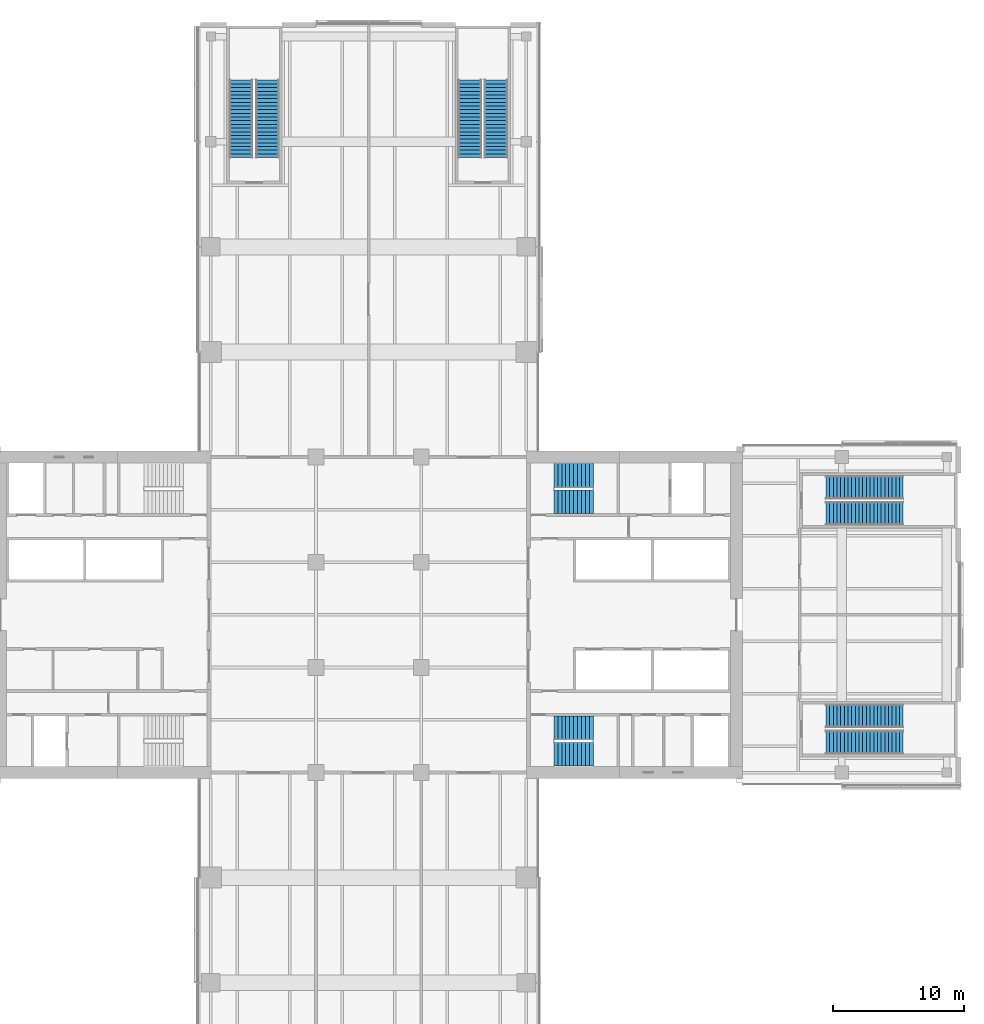
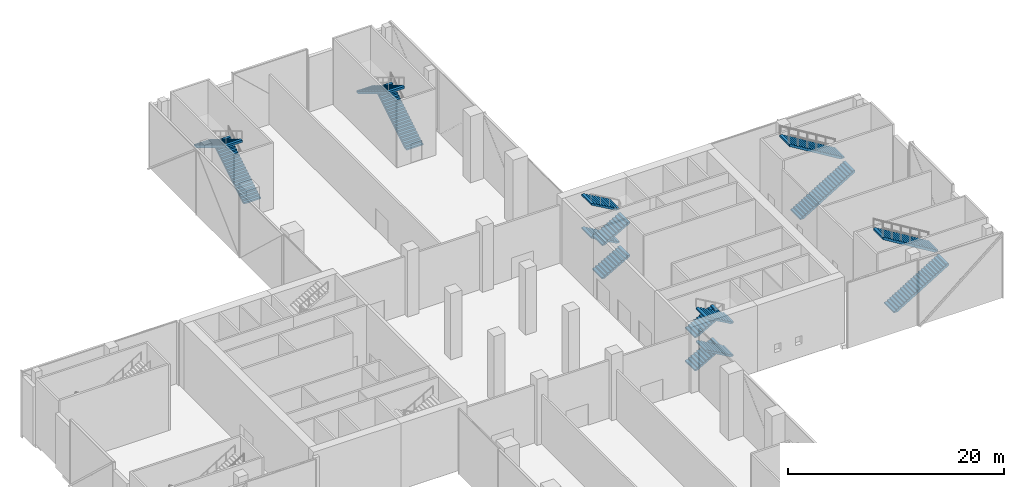
# One storey, part 19 of 25: 16 stair flights, 6 elements without a shape of their own.
"""IFC4 building model written with IfcOpenShell, lengths in metres."""

from ifc_helpers import new_model, si_unit, direction, frame, origin, place, context, subcontext, project, spatial, polyline, outline, extrude, material, type_object, element, aggregate, save


model = new_model("IFC4")

# Units and contexts
model_context = context("Model", 3, precision=1e-05, world=origin(), true_north=direction((0.0, 1.0)))
body_context = subcontext(model_context, "Body", "Model", "MODEL_VIEW")
ifc_project = project(units=[si_unit("LENGTHUNIT", "METRE"), si_unit("AREAUNIT", "SQUARE_METRE"), si_unit("VOLUMEUNIT", "CUBIC_METRE"), si_unit("PLANEANGLEUNIT", "RADIAN"), si_unit("MASSUNIT", "GRAM", prefix="KILO")], contexts=[model_context])

# Site, building, storey
site_placement = place(None, origin())
site = spatial("IfcSite", under=ifc_project, at=site_placement, CompositionType="ELEMENT")
building_placement = place(site_placement, origin())
building = spatial("IfcBuilding", under=site, at=building_placement, Name="Crosswind Convention Tower", CompositionType="ELEMENT")
storey_placement = place(building_placement, frame((0.0, 0.0, 17.5)))
storey = spatial("IfcBuildingStorey", under=building, at=storey_placement, Name="L02", CompositionType="ELEMENT", Elevation=17.5)

# Stair, stair flights
ifc_material = material(Name="Concrete C40/50", Category="concrete")
stair_type_1 = type_object("IfcStairType", Name="PODIUM EXIT STAIR 7500 RISE", PredefinedType="HALF_TURN_STAIR", material=ifc_material)
stair_1_placement = place(storey_placement, origin())
stair_1 = element("IfcStair", 1, at=stair_1_placement, inside=storey, type_object=stair_type_1, Name="Exit stair E1 L02", ObjectType="ST11", PredefinedType="HALF_TURN_STAIR")
stair_flight_type_1 = type_object("IfcStairFlightType", Name="PODIUM STAIR FLIGHT 22 RISERS", PredefinedType="STRAIGHT", material=ifc_material)
stair_flight_1_placement = place(storey_placement, frame((159.800048828125, 90.300048828125, 0.0), z_axis=(0.0, 0.0, 1.0), x_axis=(1.0, 0.0, 0.0)))
stair_flight_1 = element("IfcStairFlight", 2, at=stair_flight_1_placement, type_object=stair_flight_type_1, Name="ST11 flight 1", NumberOfRisers=22, NumberOfTreads=21, PredefinedType="STRAIGHT", RiserHeight=0.170455, TreadLength=0.28, context=body_context, shape_type="SweptSolid", body=[
    extrude(outline(polyline([(0.0, 0.0), (0.0, 0.17041015625), (0.280029296875, 0.17041015625), (0.280029296875, 0.3408203125), (0.56005859375, 0.3408203125), (0.56005859375, 0.511474609375), (0.840087890625, 0.511474609375), (0.840087890625, 0.681884765625), (1.1201171875, 0.681884765625), (1.1201171875, 0.852294921875), (1.39990234375, 0.852294921875), (1.39990234375, 1.022705078125), (1.679931640625, 1.022705078125), (1.679931640625, 1.193115234375), (1.9599609375, 1.193115234375), (1.9599609375, 1.363525390625), (2.239990234375, 1.363525390625), (2.239990234375, 1.5341796875), (2.52001953125, 1.5341796875), (2.52001953125, 1.70458984375), (2.800048828125, 1.70458984375), (2.800048828125, 1.875), (3.080078125, 1.875), (3.080078125, 2.04541015625), (3.360107421875, 2.04541015625), (3.360107421875, 2.2158203125), (3.639892578125, 2.2158203125), (3.639892578125, 2.386474609375), (3.919921875, 2.386474609375), (3.919921875, 2.556884765625), (4.199951171875, 2.556884765625), (4.199951171875, 2.727294921875), (4.47998046875, 2.727294921875), (4.47998046875, 2.897705078125), (4.760009765625, 2.897705078125), (4.760009765625, 3.068115234375), (5.0400390625, 3.068115234375), (5.0400390625, 3.238525390625), (5.320068359375, 3.238525390625), (5.320068359375, 3.4091796875), (5.60009765625, 3.4091796875), (5.60009765625, 3.57958984375), (5.8798828125, 3.57958984375), (5.8798828125, 3.75), (5.8798828125, 3.345458984375), (0.384521484375, 0.0), (0.0, 0.0)])), frame((0.0, 0.89990234375, 0.0), z_axis=(0.0, -1.0, 0.0), x_axis=(1.0, 0.0, 0.0)), (0.0, 0.0, 1.0), 1.800048828125),
])
stair_flight_2_placement = place(storey_placement, frame((165.679931640625, 92.300048828125, 3.75), z_axis=(0.0, 0.0, 1.0), x_axis=(-1.0, 0.0, 0.0)))
stair_flight_2 = element("IfcStairFlight", 3, at=stair_flight_2_placement, type_object=stair_flight_type_1, Name="ST11 flight 2", NumberOfRisers=22, NumberOfTreads=21, PredefinedType="STRAIGHT", RiserHeight=0.170455, TreadLength=0.28, context=body_context, shape_type="SweptSolid", body=[
    extrude(outline(polyline([(0.0, 0.0), (0.0, 0.17041015625), (0.280029296875, 0.17041015625), (0.280029296875, 0.3408203125), (0.56005859375, 0.3408203125), (0.56005859375, 0.511474609375), (0.840087890625, 0.511474609375), (0.840087890625, 0.681884765625), (1.1201171875, 0.681884765625), (1.1201171875, 0.852294921875), (1.39990234375, 0.852294921875), (1.39990234375, 1.022705078125), (1.679931640625, 1.022705078125), (1.679931640625, 1.193115234375), (1.9599609375, 1.193115234375), (1.9599609375, 1.363525390625), (2.239990234375, 1.363525390625), (2.239990234375, 1.5341796875), (2.52001953125, 1.5341796875), (2.52001953125, 1.70458984375), (2.800048828125, 1.70458984375), (2.800048828125, 1.875), (3.080078125, 1.875), (3.080078125, 2.04541015625), (3.360107421875, 2.04541015625), (3.360107421875, 2.2158203125), (3.639892578125, 2.2158203125), (3.639892578125, 2.386474609375), (3.919921875, 2.386474609375), (3.919921875, 2.556884765625), (4.199951171875, 2.556884765625), (4.199951171875, 2.727294921875), (4.47998046875, 2.727294921875), (4.47998046875, 2.897705078125), (4.760009765625, 2.897705078125), (4.760009765625, 3.068115234375), (5.0400390625, 3.068115234375), (5.0400390625, 3.238525390625), (5.320068359375, 3.238525390625), (5.320068359375, 3.4091796875), (5.60009765625, 3.4091796875), (5.60009765625, 3.57958984375), (5.8798828125, 3.57958984375), (5.8798828125, 3.75), (5.8798828125, 3.345458984375), (0.384521484375, 0.0), (0.0, 0.0)])), frame((0.0, 0.89990234375, 0.0), z_axis=(0.0, -1.0, 0.0), x_axis=(1.0, 0.0, 0.0)), (0.0, 0.0, 1.0), 1.800048828125),
])
aggregate(stair_1, [stair_flight_1, stair_flight_2])

stair_2_placement = place(storey_placement, origin())
stair_2 = element("IfcStair", 4, at=stair_2_placement, inside=storey, type_object=stair_type_1, Name="Exit stair E2 L02", ObjectType="ST11", PredefinedType="HALF_TURN_STAIR")
stair_flight_3_placement = place(storey_placement, frame((159.800048828125, 107.699951171875, 0.0), z_axis=(0.0, 0.0, 1.0), x_axis=(1.0, 0.0, 0.0)))
stair_flight_3 = element("IfcStairFlight", 5, at=stair_flight_3_placement, type_object=stair_flight_type_1, Name="ST11 flight 1", NumberOfRisers=22, NumberOfTreads=21, PredefinedType="STRAIGHT", RiserHeight=0.170455, TreadLength=0.28, context=body_context, shape_type="SweptSolid", body=[
    extrude(outline(polyline([(0.0, 0.0), (0.0, 0.17041015625), (0.280029296875, 0.17041015625), (0.280029296875, 0.3408203125), (0.56005859375, 0.3408203125), (0.56005859375, 0.511474609375), (0.840087890625, 0.511474609375), (0.840087890625, 0.681884765625), (1.1201171875, 0.681884765625), (1.1201171875, 0.852294921875), (1.39990234375, 0.852294921875), (1.39990234375, 1.022705078125), (1.679931640625, 1.022705078125), (1.679931640625, 1.193115234375), (1.9599609375, 1.193115234375), (1.9599609375, 1.363525390625), (2.239990234375, 1.363525390625), (2.239990234375, 1.5341796875), (2.52001953125, 1.5341796875), (2.52001953125, 1.70458984375), (2.800048828125, 1.70458984375), (2.800048828125, 1.875), (3.080078125, 1.875), (3.080078125, 2.04541015625), (3.360107421875, 2.04541015625), (3.360107421875, 2.2158203125), (3.639892578125, 2.2158203125), (3.639892578125, 2.386474609375), (3.919921875, 2.386474609375), (3.919921875, 2.556884765625), (4.199951171875, 2.556884765625), (4.199951171875, 2.727294921875), (4.47998046875, 2.727294921875), (4.47998046875, 2.897705078125), (4.760009765625, 2.897705078125), (4.760009765625, 3.068115234375), (5.0400390625, 3.068115234375), (5.0400390625, 3.238525390625), (5.320068359375, 3.238525390625), (5.320068359375, 3.4091796875), (5.60009765625, 3.4091796875), (5.60009765625, 3.57958984375), (5.8798828125, 3.57958984375), (5.8798828125, 3.75), (5.8798828125, 3.345458984375), (0.384521484375, 0.0), (0.0, 0.0)])), frame((0.0, 0.89990234375, 0.0), z_axis=(0.0, -1.0, 0.0), x_axis=(1.0, 0.0, 0.0)), (0.0, 0.0, 1.0), 1.800048828125),
])
stair_flight_4_placement = place(storey_placement, frame((165.679931640625, 109.699951171875, 3.75), z_axis=(0.0, 0.0, 1.0), x_axis=(-1.0, 0.0, 0.0)))
stair_flight_4 = element("IfcStairFlight", 6, at=stair_flight_4_placement, type_object=stair_flight_type_1, Name="ST11 flight 2", NumberOfRisers=22, NumberOfTreads=21, PredefinedType="STRAIGHT", RiserHeight=0.170455, TreadLength=0.28, context=body_context, shape_type="SweptSolid", body=[
    extrude(outline(polyline([(0.0, 0.0), (0.0, 0.17041015625), (0.280029296875, 0.17041015625), (0.280029296875, 0.3408203125), (0.56005859375, 0.3408203125), (0.56005859375, 0.511474609375), (0.840087890625, 0.511474609375), (0.840087890625, 0.681884765625), (1.1201171875, 0.681884765625), (1.1201171875, 0.852294921875), (1.39990234375, 0.852294921875), (1.39990234375, 1.022705078125), (1.679931640625, 1.022705078125), (1.679931640625, 1.193115234375), (1.9599609375, 1.193115234375), (1.9599609375, 1.363525390625), (2.239990234375, 1.363525390625), (2.239990234375, 1.5341796875), (2.52001953125, 1.5341796875), (2.52001953125, 1.70458984375), (2.800048828125, 1.70458984375), (2.800048828125, 1.875), (3.080078125, 1.875), (3.080078125, 2.04541015625), (3.360107421875, 2.04541015625), (3.360107421875, 2.2158203125), (3.639892578125, 2.2158203125), (3.639892578125, 2.386474609375), (3.919921875, 2.386474609375), (3.919921875, 2.556884765625), (4.199951171875, 2.556884765625), (4.199951171875, 2.727294921875), (4.47998046875, 2.727294921875), (4.47998046875, 2.897705078125), (4.760009765625, 2.897705078125), (4.760009765625, 3.068115234375), (5.0400390625, 3.068115234375), (5.0400390625, 3.238525390625), (5.320068359375, 3.238525390625), (5.320068359375, 3.4091796875), (5.60009765625, 3.4091796875), (5.60009765625, 3.57958984375), (5.8798828125, 3.57958984375), (5.8798828125, 3.75), (5.8798828125, 3.345458984375), (0.384521484375, 0.0), (0.0, 0.0)])), frame((0.0, 0.89990234375, 0.0), z_axis=(0.0, -1.0, 0.0), x_axis=(1.0, 0.0, 0.0)), (0.0, 0.0, 1.0), 1.800048828125),
])
aggregate(stair_2, [stair_flight_3, stair_flight_4])

stair_3_placement = place(storey_placement, origin())
stair_3 = element("IfcStair", 7, at=stair_3_placement, inside=storey, type_object=stair_type_1, Name="Exit stair N1 L02", ObjectType="ST11", PredefinedType="HALF_TURN_STAIR")
stair_flight_5_placement = place(storey_placement, frame((117.300048828125, 134.800048828125, 0.0), z_axis=(0.0, 0.0, 1.0), x_axis=(0.0, 1.0, 0.0)))
stair_flight_5 = element("IfcStairFlight", 8, at=stair_flight_5_placement, type_object=stair_flight_type_1, Name="ST11 flight 1", NumberOfRisers=22, NumberOfTreads=21, PredefinedType="STRAIGHT", RiserHeight=0.170455, TreadLength=0.28, context=body_context, shape_type="SweptSolid", body=[
    extrude(outline(polyline([(0.0, 0.0), (0.0, 0.17041015625), (0.280029296875, 0.17041015625), (0.280029296875, 0.3408203125), (0.56005859375, 0.3408203125), (0.56005859375, 0.511474609375), (0.840087890625, 0.511474609375), (0.840087890625, 0.681884765625), (1.1201171875, 0.681884765625), (1.1201171875, 0.852294921875), (1.39990234375, 0.852294921875), (1.39990234375, 1.022705078125), (1.679931640625, 1.022705078125), (1.679931640625, 1.193115234375), (1.9599609375, 1.193115234375), (1.9599609375, 1.363525390625), (2.239990234375, 1.363525390625), (2.239990234375, 1.5341796875), (2.52001953125, 1.5341796875), (2.52001953125, 1.70458984375), (2.800048828125, 1.70458984375), (2.800048828125, 1.875), (3.080078125, 1.875), (3.080078125, 2.04541015625), (3.360107421875, 2.04541015625), (3.360107421875, 2.2158203125), (3.639892578125, 2.2158203125), (3.639892578125, 2.386474609375), (3.919921875, 2.386474609375), (3.919921875, 2.556884765625), (4.199951171875, 2.556884765625), (4.199951171875, 2.727294921875), (4.47998046875, 2.727294921875), (4.47998046875, 2.897705078125), (4.760009765625, 2.897705078125), (4.760009765625, 3.068115234375), (5.0400390625, 3.068115234375), (5.0400390625, 3.238525390625), (5.320068359375, 3.238525390625), (5.320068359375, 3.4091796875), (5.60009765625, 3.4091796875), (5.60009765625, 3.57958984375), (5.8798828125, 3.57958984375), (5.8798828125, 3.75), (5.8798828125, 3.345458984375), (0.384521484375, 0.0), (0.0, 0.0)])), frame((0.0, 0.89990234375, 0.0), z_axis=(0.0, -1.0, 0.0), x_axis=(1.0, 0.0, 0.0)), (0.0, 0.0, 1.0), 1.800048828125),
])
stair_flight_6_placement = place(storey_placement, frame((115.300048828125, 140.679931640625, 3.75), z_axis=(0.0, 0.0, 1.0), x_axis=(0.0, -1.0, 0.0)))
stair_flight_6 = element("IfcStairFlight", 9, at=stair_flight_6_placement, type_object=stair_flight_type_1, Name="ST11 flight 2", NumberOfRisers=22, NumberOfTreads=21, PredefinedType="STRAIGHT", RiserHeight=0.170455, TreadLength=0.28, context=body_context, shape_type="SweptSolid", body=[
    extrude(outline(polyline([(0.0, 0.0), (0.0, 0.17041015625), (0.280029296875, 0.17041015625), (0.280029296875, 0.3408203125), (0.56005859375, 0.3408203125), (0.56005859375, 0.511474609375), (0.840087890625, 0.511474609375), (0.840087890625, 0.681884765625), (1.1201171875, 0.681884765625), (1.1201171875, 0.852294921875), (1.39990234375, 0.852294921875), (1.39990234375, 1.022705078125), (1.679931640625, 1.022705078125), (1.679931640625, 1.193115234375), (1.9599609375, 1.193115234375), (1.9599609375, 1.363525390625), (2.239990234375, 1.363525390625), (2.239990234375, 1.5341796875), (2.52001953125, 1.5341796875), (2.52001953125, 1.70458984375), (2.800048828125, 1.70458984375), (2.800048828125, 1.875), (3.080078125, 1.875), (3.080078125, 2.04541015625), (3.360107421875, 2.04541015625), (3.360107421875, 2.2158203125), (3.639892578125, 2.2158203125), (3.639892578125, 2.386474609375), (3.919921875, 2.386474609375), (3.919921875, 2.556884765625), (4.199951171875, 2.556884765625), (4.199951171875, 2.727294921875), (4.47998046875, 2.727294921875), (4.47998046875, 2.897705078125), (4.760009765625, 2.897705078125), (4.760009765625, 3.068115234375), (5.0400390625, 3.068115234375), (5.0400390625, 3.238525390625), (5.320068359375, 3.238525390625), (5.320068359375, 3.4091796875), (5.60009765625, 3.4091796875), (5.60009765625, 3.57958984375), (5.8798828125, 3.57958984375), (5.8798828125, 3.75), (5.8798828125, 3.345458984375), (0.384521484375, 0.0), (0.0, 0.0)])), frame((0.0, 0.89990234375, 0.0), z_axis=(0.0, -1.0, 0.0), x_axis=(1.0, 0.0, 0.0)), (0.0, 0.0, 1.0), 1.800048828125),
])
aggregate(stair_3, [stair_flight_5, stair_flight_6])

stair_4_placement = place(storey_placement, origin())
stair_4 = element("IfcStair", 10, at=stair_4_placement, inside=storey, type_object=stair_type_1, Name="Exit stair N2 L02", ObjectType="ST11", PredefinedType="HALF_TURN_STAIR")
stair_flight_7_placement = place(storey_placement, frame((134.699951171875, 134.800048828125, 0.0), z_axis=(0.0, 0.0, 1.0), x_axis=(0.0, 1.0, 0.0)))
stair_flight_7 = element("IfcStairFlight", 11, at=stair_flight_7_placement, type_object=stair_flight_type_1, Name="ST11 flight 1", NumberOfRisers=22, NumberOfTreads=21, PredefinedType="STRAIGHT", RiserHeight=0.170455, TreadLength=0.28, context=body_context, shape_type="SweptSolid", body=[
    extrude(outline(polyline([(0.0, 0.0), (0.0, 0.17041015625), (0.280029296875, 0.17041015625), (0.280029296875, 0.3408203125), (0.56005859375, 0.3408203125), (0.56005859375, 0.511474609375), (0.840087890625, 0.511474609375), (0.840087890625, 0.681884765625), (1.1201171875, 0.681884765625), (1.1201171875, 0.852294921875), (1.39990234375, 0.852294921875), (1.39990234375, 1.022705078125), (1.679931640625, 1.022705078125), (1.679931640625, 1.193115234375), (1.9599609375, 1.193115234375), (1.9599609375, 1.363525390625), (2.239990234375, 1.363525390625), (2.239990234375, 1.5341796875), (2.52001953125, 1.5341796875), (2.52001953125, 1.70458984375), (2.800048828125, 1.70458984375), (2.800048828125, 1.875), (3.080078125, 1.875), (3.080078125, 2.04541015625), (3.360107421875, 2.04541015625), (3.360107421875, 2.2158203125), (3.639892578125, 2.2158203125), (3.639892578125, 2.386474609375), (3.919921875, 2.386474609375), (3.919921875, 2.556884765625), (4.199951171875, 2.556884765625), (4.199951171875, 2.727294921875), (4.47998046875, 2.727294921875), (4.47998046875, 2.897705078125), (4.760009765625, 2.897705078125), (4.760009765625, 3.068115234375), (5.0400390625, 3.068115234375), (5.0400390625, 3.238525390625), (5.320068359375, 3.238525390625), (5.320068359375, 3.4091796875), (5.60009765625, 3.4091796875), (5.60009765625, 3.57958984375), (5.8798828125, 3.57958984375), (5.8798828125, 3.75), (5.8798828125, 3.345458984375), (0.384521484375, 0.0), (0.0, 0.0)])), frame((0.0, 0.89990234375, 0.0), z_axis=(0.0, -1.0, 0.0), x_axis=(1.0, 0.0, 0.0)), (0.0, 0.0, 1.0), 1.800048828125),
])
stair_flight_8_placement = place(storey_placement, frame((132.699951171875, 140.679931640625, 3.75), z_axis=(0.0, 0.0, 1.0), x_axis=(0.0, -1.0, 0.0)))
stair_flight_8 = element("IfcStairFlight", 12, at=stair_flight_8_placement, type_object=stair_flight_type_1, Name="ST11 flight 2", NumberOfRisers=22, NumberOfTreads=21, PredefinedType="STRAIGHT", RiserHeight=0.170455, TreadLength=0.28, context=body_context, shape_type="SweptSolid", body=[
    extrude(outline(polyline([(0.0, 0.0), (0.0, 0.17041015625), (0.280029296875, 0.17041015625), (0.280029296875, 0.3408203125), (0.56005859375, 0.3408203125), (0.56005859375, 0.511474609375), (0.840087890625, 0.511474609375), (0.840087890625, 0.681884765625), (1.1201171875, 0.681884765625), (1.1201171875, 0.852294921875), (1.39990234375, 0.852294921875), (1.39990234375, 1.022705078125), (1.679931640625, 1.022705078125), (1.679931640625, 1.193115234375), (1.9599609375, 1.193115234375), (1.9599609375, 1.363525390625), (2.239990234375, 1.363525390625), (2.239990234375, 1.5341796875), (2.52001953125, 1.5341796875), (2.52001953125, 1.70458984375), (2.800048828125, 1.70458984375), (2.800048828125, 1.875), (3.080078125, 1.875), (3.080078125, 2.04541015625), (3.360107421875, 2.04541015625), (3.360107421875, 2.2158203125), (3.639892578125, 2.2158203125), (3.639892578125, 2.386474609375), (3.919921875, 2.386474609375), (3.919921875, 2.556884765625), (4.199951171875, 2.556884765625), (4.199951171875, 2.727294921875), (4.47998046875, 2.727294921875), (4.47998046875, 2.897705078125), (4.760009765625, 2.897705078125), (4.760009765625, 3.068115234375), (5.0400390625, 3.068115234375), (5.0400390625, 3.238525390625), (5.320068359375, 3.238525390625), (5.320068359375, 3.4091796875), (5.60009765625, 3.4091796875), (5.60009765625, 3.57958984375), (5.8798828125, 3.57958984375), (5.8798828125, 3.75), (5.8798828125, 3.345458984375), (0.384521484375, 0.0), (0.0, 0.0)])), frame((0.0, 0.89990234375, 0.0), z_axis=(0.0, -1.0, 0.0), x_axis=(1.0, 0.0, 0.0)), (0.0, 0.0, 1.0), 1.800048828125),
])
aggregate(stair_4, [stair_flight_7, stair_flight_8])

stair_type_2 = type_object("IfcStairType", Name="Exit stair 1800 wide, 4 flights of 11 risers", PredefinedType="HALF_TURN_STAIR", material=ifc_material)
stair_5_placement = place(storey_placement, origin())
stair_5 = element("IfcStair", 13, at=stair_5_placement, inside=storey, type_object=stair_type_2, Name="Exit stair ST1 L02", ObjectType="ST6", PredefinedType="HALF_TURN_STAIR")
stair_flight_type_2 = type_object("IfcStairFlightType", Name="Stair flight 1800 wide, 11 risers (SF3)", PredefinedType="STRAIGHT", material=ifc_material)
stair_flight_9_placement = place(storey_placement, frame((139.10009765625, 108.60009765625, 0.0), z_axis=(0.0, 0.0, 1.0), x_axis=(1.0, 0.0, 0.0)))
stair_flight_9 = element("IfcStairFlight", 14, at=stair_flight_9_placement, type_object=stair_flight_type_2, Name="ST1 flight 1", NumberOfRisers=11, NumberOfTreads=10, PredefinedType="STRAIGHT", RiserHeight=0.170454545, TreadLength=0.3, context=body_context, shape_type="SweptSolid", body=[
    extrude(outline(polyline([(0.0, 0.0), (0.0, 0.17041015625), (0.300048828125, 0.17041015625), (0.300048828125, 0.3408203125), (0.60009765625, 0.3408203125), (0.60009765625, 0.511474609375), (0.89990234375, 0.511474609375), (0.89990234375, 0.681884765625), (1.199951171875, 0.681884765625), (1.199951171875, 0.852294921875), (1.5, 0.852294921875), (1.5, 1.022705078125), (1.800048828125, 1.022705078125), (1.800048828125, 1.193115234375), (2.10009765625, 1.193115234375), (2.10009765625, 1.363525390625), (2.39990234375, 1.363525390625), (2.39990234375, 1.5341796875), (2.699951171875, 1.5341796875), (2.699951171875, 1.70458984375), (3.0, 1.70458984375), (3.0, 1.875), (3.0, 1.5322265625), (0.303466796875, 0.0), (0.0, 0.0)])), frame((0.0, 0.89990234375, 0.0), z_axis=(0.0, -1.0, 0.0), x_axis=(1.0, 0.0, 0.0)), (0.0, 0.0, 1.0), 1.800048828125),
])
stair_flight_10_placement = place(storey_placement, frame((142.10009765625, 110.60009765625, 1.875), z_axis=(0.0, 0.0, 1.0), x_axis=(-1.0, 0.0, 0.0)))
stair_flight_10 = element("IfcStairFlight", 15, at=stair_flight_10_placement, type_object=stair_flight_type_2, Name="ST1 flight 2", NumberOfRisers=11, NumberOfTreads=10, PredefinedType="STRAIGHT", RiserHeight=0.170454545, TreadLength=0.3, context=body_context, shape_type="SweptSolid", body=[
    extrude(outline(polyline([(0.0, 0.0), (0.0, 0.17041015625), (0.300048828125, 0.17041015625), (0.300048828125, 0.3408203125), (0.60009765625, 0.3408203125), (0.60009765625, 0.511474609375), (0.89990234375, 0.511474609375), (0.89990234375, 0.681884765625), (1.199951171875, 0.681884765625), (1.199951171875, 0.852294921875), (1.5, 0.852294921875), (1.5, 1.022705078125), (1.800048828125, 1.022705078125), (1.800048828125, 1.193115234375), (2.10009765625, 1.193115234375), (2.10009765625, 1.363525390625), (2.39990234375, 1.363525390625), (2.39990234375, 1.5341796875), (2.699951171875, 1.5341796875), (2.699951171875, 1.70458984375), (3.0, 1.70458984375), (3.0, 1.875), (3.0, 1.5322265625), (0.303466796875, 0.0), (0.0, 0.0)])), frame((0.0, 0.89990234375, 0.0), z_axis=(0.0, -1.0, 0.0), x_axis=(1.0, 0.0, 0.0)), (0.0, 0.0, 1.0), 1.800048828125),
])
stair_flight_11_placement = place(storey_placement, frame((139.10009765625, 108.60009765625, 3.75), z_axis=(0.0, 0.0, 1.0), x_axis=(1.0, 0.0, 0.0)))
stair_flight_11 = element("IfcStairFlight", 16, at=stair_flight_11_placement, type_object=stair_flight_type_2, Name="ST1 flight 3", NumberOfRisers=11, NumberOfTreads=10, PredefinedType="STRAIGHT", RiserHeight=0.170454545, TreadLength=0.3, context=body_context, shape_type="SweptSolid", body=[
    extrude(outline(polyline([(0.0, 0.0), (0.0, 0.17041015625), (0.300048828125, 0.17041015625), (0.300048828125, 0.3408203125), (0.60009765625, 0.3408203125), (0.60009765625, 0.511474609375), (0.89990234375, 0.511474609375), (0.89990234375, 0.681884765625), (1.199951171875, 0.681884765625), (1.199951171875, 0.852294921875), (1.5, 0.852294921875), (1.5, 1.022705078125), (1.800048828125, 1.022705078125), (1.800048828125, 1.193115234375), (2.10009765625, 1.193115234375), (2.10009765625, 1.363525390625), (2.39990234375, 1.363525390625), (2.39990234375, 1.5341796875), (2.699951171875, 1.5341796875), (2.699951171875, 1.70458984375), (3.0, 1.70458984375), (3.0, 1.875), (3.0, 1.5322265625), (0.303466796875, 0.0), (0.0, 0.0)])), frame((0.0, 0.89990234375, 0.0), z_axis=(0.0, -1.0, 0.0), x_axis=(1.0, 0.0, 0.0)), (0.0, 0.0, 1.0), 1.800048828125),
])
stair_flight_12_placement = place(storey_placement, frame((142.10009765625, 110.60009765625, 5.625), z_axis=(0.0, 0.0, 1.0), x_axis=(-1.0, 0.0, 0.0)))
stair_flight_12 = element("IfcStairFlight", 17, at=stair_flight_12_placement, type_object=stair_flight_type_2, Name="ST1 flight 4", NumberOfRisers=11, NumberOfTreads=10, PredefinedType="STRAIGHT", RiserHeight=0.170454545, TreadLength=0.3, context=body_context, shape_type="SweptSolid", body=[
    extrude(outline(polyline([(0.0, 0.0), (0.0, 0.17041015625), (0.300048828125, 0.17041015625), (0.300048828125, 0.3408203125), (0.60009765625, 0.3408203125), (0.60009765625, 0.511474609375), (0.89990234375, 0.511474609375), (0.89990234375, 0.681884765625), (1.199951171875, 0.681884765625), (1.199951171875, 0.852294921875), (1.5, 0.852294921875), (1.5, 1.022705078125), (1.800048828125, 1.022705078125), (1.800048828125, 1.193115234375), (2.10009765625, 1.193115234375), (2.10009765625, 1.363525390625), (2.39990234375, 1.363525390625), (2.39990234375, 1.5341796875), (2.699951171875, 1.5341796875), (2.699951171875, 1.70458984375), (3.0, 1.70458984375), (3.0, 1.875), (3.0, 1.5322265625), (0.303466796875, 0.0), (0.0, 0.0)])), frame((0.0, 0.89990234375, 0.0), z_axis=(0.0, -1.0, 0.0), x_axis=(1.0, 0.0, 0.0)), (0.0, 0.0, 1.0), 1.800048828125),
])
aggregate(stair_5, [stair_flight_9, stair_flight_10, stair_flight_11, stair_flight_12])

stair_6_placement = place(storey_placement, origin())
stair_6 = element("IfcStair", 18, at=stair_6_placement, inside=storey, type_object=stair_type_2, Name="Exit stair ST2 L02", ObjectType="ST6", PredefinedType="HALF_TURN_STAIR")
stair_flight_13_placement = place(storey_placement, frame((139.10009765625, 91.39990234375, 0.0), z_axis=(0.0, 0.0, 1.0), x_axis=(1.0, 0.0, 0.0)))
stair_flight_13 = element("IfcStairFlight", 19, at=stair_flight_13_placement, type_object=stair_flight_type_2, Name="ST2 flight 1", NumberOfRisers=11, NumberOfTreads=10, PredefinedType="STRAIGHT", RiserHeight=0.170454545, TreadLength=0.3, context=body_context, shape_type="SweptSolid", body=[
    extrude(outline(polyline([(0.0, 0.0), (0.0, 0.17041015625), (0.300048828125, 0.17041015625), (0.300048828125, 0.3408203125), (0.60009765625, 0.3408203125), (0.60009765625, 0.511474609375), (0.89990234375, 0.511474609375), (0.89990234375, 0.681884765625), (1.199951171875, 0.681884765625), (1.199951171875, 0.852294921875), (1.5, 0.852294921875), (1.5, 1.022705078125), (1.800048828125, 1.022705078125), (1.800048828125, 1.193115234375), (2.10009765625, 1.193115234375), (2.10009765625, 1.363525390625), (2.39990234375, 1.363525390625), (2.39990234375, 1.5341796875), (2.699951171875, 1.5341796875), (2.699951171875, 1.70458984375), (3.0, 1.70458984375), (3.0, 1.875), (3.0, 1.5322265625), (0.303466796875, 0.0), (0.0, 0.0)])), frame((0.0, 0.89990234375, 0.0), z_axis=(0.0, -1.0, 0.0), x_axis=(1.0, 0.0, 0.0)), (0.0, 0.0, 1.0), 1.800048828125),
])
stair_flight_14_placement = place(storey_placement, frame((142.10009765625, 89.39990234375, 1.875), z_axis=(0.0, 0.0, 1.0), x_axis=(-1.0, 0.0, 0.0)))
stair_flight_14 = element("IfcStairFlight", 20, at=stair_flight_14_placement, type_object=stair_flight_type_2, Name="ST2 flight 2", NumberOfRisers=11, NumberOfTreads=10, PredefinedType="STRAIGHT", RiserHeight=0.170454545, TreadLength=0.3, context=body_context, shape_type="SweptSolid", body=[
    extrude(outline(polyline([(0.0, 0.0), (0.0, 0.17041015625), (0.300048828125, 0.17041015625), (0.300048828125, 0.3408203125), (0.60009765625, 0.3408203125), (0.60009765625, 0.511474609375), (0.89990234375, 0.511474609375), (0.89990234375, 0.681884765625), (1.199951171875, 0.681884765625), (1.199951171875, 0.852294921875), (1.5, 0.852294921875), (1.5, 1.022705078125), (1.800048828125, 1.022705078125), (1.800048828125, 1.193115234375), (2.10009765625, 1.193115234375), (2.10009765625, 1.363525390625), (2.39990234375, 1.363525390625), (2.39990234375, 1.5341796875), (2.699951171875, 1.5341796875), (2.699951171875, 1.70458984375), (3.0, 1.70458984375), (3.0, 1.875), (3.0, 1.5322265625), (0.303466796875, 0.0), (0.0, 0.0)])), frame((0.0, 0.89990234375, 0.0), z_axis=(0.0, -1.0, 0.0), x_axis=(1.0, 0.0, 0.0)), (0.0, 0.0, 1.0), 1.800048828125),
])
stair_flight_15_placement = place(storey_placement, frame((139.10009765625, 91.39990234375, 3.75), z_axis=(0.0, 0.0, 1.0), x_axis=(1.0, 0.0, 0.0)))
stair_flight_15 = element("IfcStairFlight", 21, at=stair_flight_15_placement, type_object=stair_flight_type_2, Name="ST2 flight 3", NumberOfRisers=11, NumberOfTreads=10, PredefinedType="STRAIGHT", RiserHeight=0.170454545, TreadLength=0.3, context=body_context, shape_type="SweptSolid", body=[
    extrude(outline(polyline([(0.0, 0.0), (0.0, 0.17041015625), (0.300048828125, 0.17041015625), (0.300048828125, 0.3408203125), (0.60009765625, 0.3408203125), (0.60009765625, 0.511474609375), (0.89990234375, 0.511474609375), (0.89990234375, 0.681884765625), (1.199951171875, 0.681884765625), (1.199951171875, 0.852294921875), (1.5, 0.852294921875), (1.5, 1.022705078125), (1.800048828125, 1.022705078125), (1.800048828125, 1.193115234375), (2.10009765625, 1.193115234375), (2.10009765625, 1.363525390625), (2.39990234375, 1.363525390625), (2.39990234375, 1.5341796875), (2.699951171875, 1.5341796875), (2.699951171875, 1.70458984375), (3.0, 1.70458984375), (3.0, 1.875), (3.0, 1.5322265625), (0.303466796875, 0.0), (0.0, 0.0)])), frame((0.0, 0.89990234375, 0.0), z_axis=(0.0, -1.0, 0.0), x_axis=(1.0, 0.0, 0.0)), (0.0, 0.0, 1.0), 1.800048828125),
])
stair_flight_16_placement = place(storey_placement, frame((142.10009765625, 89.39990234375, 5.625), z_axis=(0.0, 0.0, 1.0), x_axis=(-1.0, 0.0, 0.0)))
stair_flight_16 = element("IfcStairFlight", 22, at=stair_flight_16_placement, type_object=stair_flight_type_2, Name="ST2 flight 4", NumberOfRisers=11, NumberOfTreads=10, PredefinedType="STRAIGHT", RiserHeight=0.170454545, TreadLength=0.3, context=body_context, shape_type="SweptSolid", body=[
    extrude(outline(polyline([(0.0, 0.0), (0.0, 0.17041015625), (0.300048828125, 0.17041015625), (0.300048828125, 0.3408203125), (0.60009765625, 0.3408203125), (0.60009765625, 0.511474609375), (0.89990234375, 0.511474609375), (0.89990234375, 0.681884765625), (1.199951171875, 0.681884765625), (1.199951171875, 0.852294921875), (1.5, 0.852294921875), (1.5, 1.022705078125), (1.800048828125, 1.022705078125), (1.800048828125, 1.193115234375), (2.10009765625, 1.193115234375), (2.10009765625, 1.363525390625), (2.39990234375, 1.363525390625), (2.39990234375, 1.5341796875), (2.699951171875, 1.5341796875), (2.699951171875, 1.70458984375), (3.0, 1.70458984375), (3.0, 1.875), (3.0, 1.5322265625), (0.303466796875, 0.0), (0.0, 0.0)])), frame((0.0, 0.89990234375, 0.0), z_axis=(0.0, -1.0, 0.0), x_axis=(1.0, 0.0, 0.0)), (0.0, 0.0, 1.0), 1.800048828125),
])
aggregate(stair_6, [stair_flight_13, stair_flight_14, stair_flight_15, stair_flight_16])

save(model, "model.ifc")
